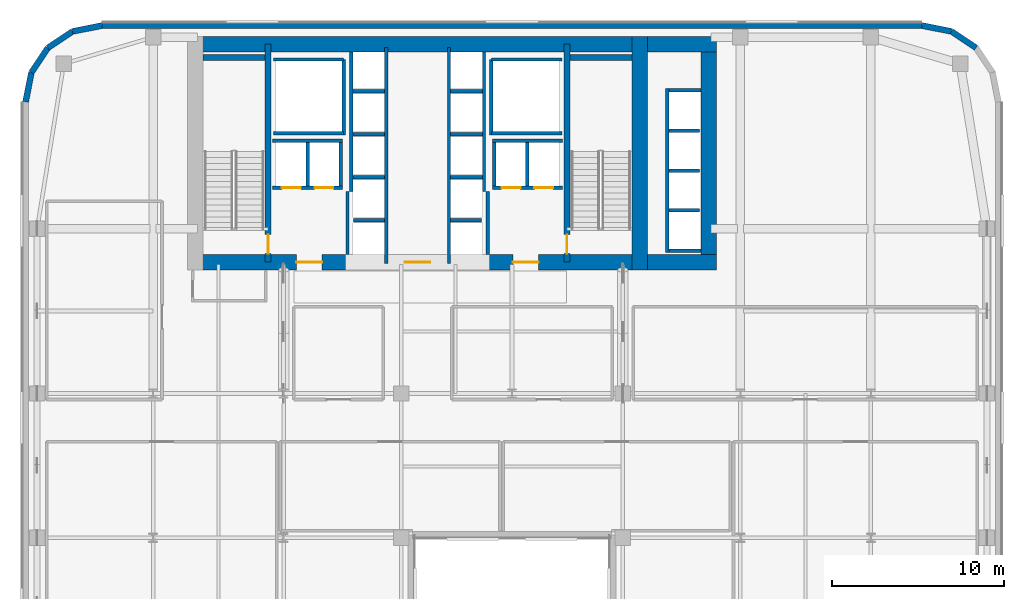
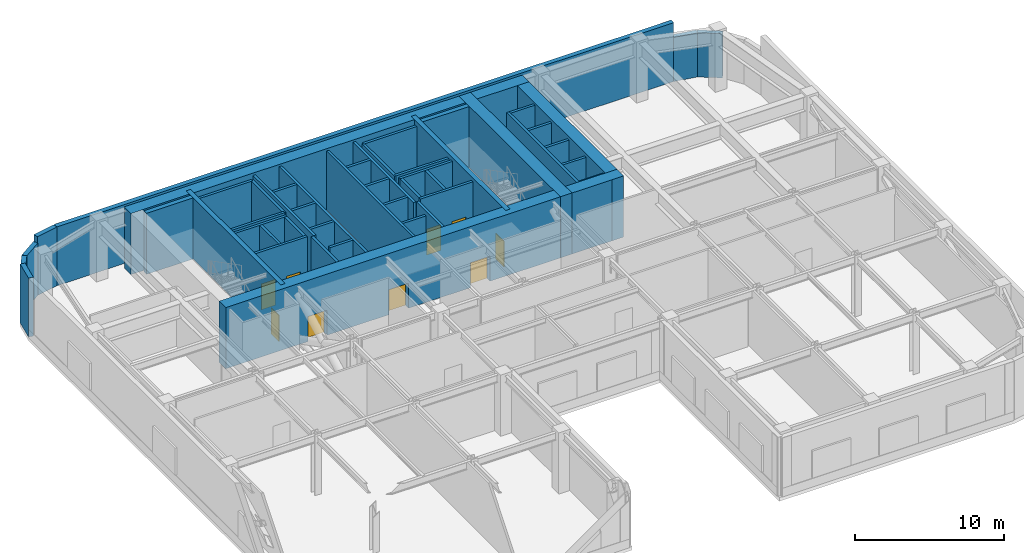
# One storey, part 5 of 11: 51 walls, 9 doors, 9 openings.
"""IFC4 building model written with IfcOpenShell, lengths in metres."""

from ifc_helpers import new_model, si_unit, direction, frame, frame_2d, origin, place, context, subcontext, project, spatial, rectangle, extrude, source, transform, mapped, material, layer, layer_set, type_object, type_shapes, element, fill, save


model = new_model("IFC4")

# Units and contexts
model_context = context("Model", 3, precision=1e-05, world=origin(), true_north=direction((0.0, 1.0)))
body_context = subcontext(model_context, "Body", "Model", "MODEL_VIEW")
ifc_project = project(units=[si_unit("LENGTHUNIT", "METRE"), si_unit("AREAUNIT", "SQUARE_METRE"), si_unit("VOLUMEUNIT", "CUBIC_METRE"), si_unit("PLANEANGLEUNIT", "RADIAN"), si_unit("MASSUNIT", "GRAM", prefix="KILO")], contexts=[model_context])

# Site, building, storey
site_placement = place(None, origin())
site = spatial("IfcSite", under=ifc_project, at=site_placement, CompositionType="ELEMENT")
building_placement = place(site_placement, origin())
building = spatial("IfcBuilding", under=site, at=building_placement, Name="Tolvann Quenvar Hotel", CompositionType="ELEMENT")
storey_placement = place(building_placement, frame((0.0, 0.0, 95.89990234375)))
storey = spatial("IfcBuildingStorey", under=building, at=storey_placement, Name="L24", CompositionType="ELEMENT", Elevation=95.89990234375)

# Wall, openings, doors
ifc_material_1 = material(Name="Concrete S80 (80 MPa)", Category="concrete")
ifc_layer_1 = layer(ifc_material_1, 0.89990234375)
ifc_layer_set_1 = layer_set([ifc_layer_1], Name="Concrete S80 (80 MPa)")
wall_type_1 = type_object("IfcWallType", Name="WALL_CORE_900", PredefinedType="SHEAR", material=ifc_layer_set_1)
wall_1_placement = place(storey_placement, frame((9.60009765625, 32.050048828125, 0.0), z_axis=(0.0, 0.0, 1.0), x_axis=(1.0, 0.0, 0.0)))
wall_1 = element("IfcWall", 1, at=wall_1_placement, inside=storey, type_object=wall_type_1, Name="Rear Core S Shear Wall (L24)", PredefinedType="SHEAR", context=body_context, shape_type="SweptSolid", body=[
    extrude(rectangle(XDim=26.7998046875, YDim=0.89990234375, at=frame_2d((13.39990234375, 0.0))), origin(), (0.0, 0.0, 1.0), 5.0),
])
opening_1_placement = place(wall_1_placement, frame((7.85009765625, 0.0, 0.0), z_axis=(0.0, 0.0, 1.0), x_axis=(-1.0, 0.0, 0.0)))
opening_1 = element("IfcOpeningElement", 2, at=opening_1_placement, cuts=wall_1, Name="Opening FD-60D", PredefinedType="OPENING", context=body_context, shape_type="SweptSolid", body=[
    extrude(rectangle(XDim=1.5, YDim=2.0400390625, at=frame_2d((0.75, 1.02001953125))), frame((0.0, 0.4599609375, 0.0), z_axis=(0.0, -1.0, 0.0), x_axis=(1.0, 0.0, 0.0)), (0.0, 0.0, 1.0), 0.919921875),
])
opening_2_placement = place(wall_1_placement, frame((14.14990234375, 0.0, 0.0), z_axis=(0.0, 0.0, 1.0), x_axis=(-1.0, 0.0, 0.0)))
opening_2 = element("IfcOpeningElement", 3, at=opening_2_placement, cuts=wall_1, Name="Opening FD-60D", PredefinedType="OPENING", context=body_context, shape_type="SweptSolid", body=[
    extrude(rectangle(XDim=1.5, YDim=2.0400390625, at=frame_2d((0.75, 1.02001953125))), frame((0.0, 0.4599609375, 0.0), z_axis=(0.0, -1.0, 0.0), x_axis=(1.0, 0.0, 0.0)), (0.0, 0.0, 1.0), 0.919921875),
])
opening_3_placement = place(wall_1_placement, frame((20.449951171875, 0.0, 0.0), z_axis=(0.0, 0.0, 1.0), x_axis=(-1.0, 0.0, 0.0)))
opening_3 = element("IfcOpeningElement", 4, at=opening_3_placement, cuts=wall_1, Name="Opening FD-60D", PredefinedType="OPENING", context=body_context, shape_type="SweptSolid", body=[
    extrude(rectangle(XDim=1.5, YDim=2.0400390625, at=frame_2d((0.75, 1.02001953125))), frame((0.0, 0.4599609375, 0.0), z_axis=(0.0, -1.0, 0.0), x_axis=(1.0, 0.0, 0.0)), (0.0, 0.0, 1.0), 0.919921875),
])
ifc_material_2 = material(Name="Solid-core American oak acoustic fire door leaf in steel frame", Category="steel")
door_type_1 = type_object("IfcDoorType", Name="DOOR_FIRE_LOBBY_1500", OperationType="NOTDEFINED", PredefinedType="DOOR", material=ifc_material_2)
shared_shape_1 = source(origin(), body_context, "Body", "SweptSolid", [
    extrude(rectangle(XDim=1.5, YDim=2.0400390625, at=frame_2d((0.75, 1.02001953125))), frame((0.0, 0.02490234375, 0.0), z_axis=(0.0, -1.0, 0.0), x_axis=(1.0, 0.0, 0.0)), (0.0, 0.0, 1.0), 0.050048828125),
])
type_shapes(door_type_1, [shared_shape_1])
door_1_placement = place(opening_1_placement, origin())
door_1 = element("IfcDoor", 5, at=door_1_placement, inside=storey, type_object=door_type_1, Name="Core Lobby Fire Door FFW (L24)", OperationType="DOUBLE_DOOR_SINGLE_SWING", OverallHeight=2.0400390625, OverallWidth=1.5, PredefinedType="DOOR", context=body_context, shape_type="MappedRepresentation", body=[
    mapped(shared_shape_1, transform((0.0, 0.0, 0.0), x_axis=(1.0, 0.0, 0.0), y_axis=(0.0, 1.0, 0.0), z_axis=(0.0, 0.0, 1.0), scale=1.0)),
])
fill(opening_1, door_1)
door_2_placement = place(opening_2_placement, origin())
door_2 = element("IfcDoor", 6, at=door_2_placement, inside=storey, type_object=door_type_1, Name="Core Lobby Fire Door CLOB (L24)", OperationType="DOUBLE_DOOR_SINGLE_SWING", OverallHeight=2.0400390625, OverallWidth=1.5, PredefinedType="DOOR", context=body_context, shape_type="MappedRepresentation", body=[
    mapped(shared_shape_1, transform((0.0, 0.0, 0.0), x_axis=(1.0, 0.0, 0.0), y_axis=(0.0, 1.0, 0.0), z_axis=(0.0, 0.0, 1.0), scale=1.0)),
])
fill(opening_2, door_2)
door_3_placement = place(opening_3_placement, origin())
door_3 = element("IfcDoor", 7, at=door_3_placement, inside=storey, type_object=door_type_1, Name="Core Lobby Fire Door FFE (L24)", OperationType="DOUBLE_DOOR_SINGLE_SWING", OverallHeight=2.0400390625, OverallWidth=1.5, PredefinedType="DOOR", context=body_context, shape_type="MappedRepresentation", body=[
    mapped(shared_shape_1, transform((0.0, 0.0, 0.0), x_axis=(1.0, 0.0, 0.0), y_axis=(0.0, 1.0, 0.0), z_axis=(0.0, 0.0, 1.0), scale=1.0)),
])
fill(opening_3, door_3)

# Walls
wall_2_placement = place(storey_placement, frame((9.60009765625, 44.75, 0.0), z_axis=(0.0, 0.0, 1.0), x_axis=(1.0, 0.0, 0.0)))
element("IfcWall", 8, at=wall_2_placement, inside=storey, type_object=wall_type_1, Name="Rear Core N Shear Wall (L24)", PredefinedType="SHEAR", context=body_context, shape_type="SweptSolid", body=[
    extrude(rectangle(XDim=26.7998046875, YDim=0.89990234375, at=frame_2d((13.39990234375, 0.0))), origin(), (0.0, 0.0, 1.0), 5.0),
])
wall_3_placement = place(storey_placement, frame((35.949951171875, 31.60009765625, 0.0), z_axis=(0.0, 0.0, 1.0), x_axis=(0.0, 1.0, 0.0)))
element("IfcWall", 9, at=wall_3_placement, inside=storey, type_object=wall_type_1, Name="Rear Core E Shear Wall (L24)", PredefinedType="SHEAR", context=body_context, shape_type="SweptSolid", body=[
    extrude(rectangle(XDim=13.599853515625, YDim=0.89990234375, at=frame_2d((6.7998046875, 0.0))), origin(), (0.0, 0.0, 1.0), 5.0),
])
for number, where, z_axis, x_axis, name in (
    (10, (36.39990234375, 32.050048828125, 0.0), (0.0, 0.0, 1.0), (1.0, 0.0, 0.0), "Core East Annex Shear Wall ANN-S (L24)"),
    (11, (36.39990234375, 44.75, 0.0), (0.0, 0.0, 1.0), (1.0, 0.0, 0.0), "Core East Annex Shear Wall ANN-N (L24)"),
):
    element("IfcWall", number, at=place(storey_placement, frame(where, z_axis=z_axis, x_axis=x_axis)), inside=storey, type_object=wall_type_1, Name=name, PredefinedType="SHEAR", context=body_context, shape_type="SweptSolid", body=[
        extrude(rectangle(XDim=4.0, YDim=0.89990234375, at=frame_2d((2.0, 0.0))), origin(), (0.0, 0.0, 1.0), 5.0),
    ])
wall_4_placement = place(storey_placement, frame((39.949951171875, 31.60009765625, 0.0), z_axis=(0.0, 0.0, 1.0), x_axis=(0.0, 1.0, 0.0)))
element("IfcWall", 12, at=wall_4_placement, inside=storey, type_object=wall_type_1, Name="Core East Annex Shear Wall ANN-E (L24)", PredefinedType="SHEAR", context=body_context, shape_type="SweptSolid", body=[
    extrude(rectangle(XDim=13.599853515625, YDim=0.89990234375, at=frame_2d((6.7998046875, 0.0))), origin(), (0.0, 0.0, 1.0), 5.0),
])

# Wall, opening, door
ifc_material_3 = material(Name="Concrete S65 (65 MPa)", Category="concrete")
ifc_layer_2 = layer(ifc_material_3, 0.35009765625)
ifc_layer_set_2 = layer_set([ifc_layer_2], Name="Concrete S65 (65 MPa)")
wall_type_2 = type_object("IfcWallType", Name="WALL_CORE_INT_350", PredefinedType="SHEAR", material=ifc_layer_set_2)
wall_5_placement = place(storey_placement, frame((14.300048828125, 32.050048828125, 0.0), z_axis=(0.0, 0.0, 1.0), x_axis=(0.0, 1.0, 0.0)))
wall_5 = element("IfcWall", 13, at=wall_5_placement, inside=storey, type_object=wall_type_2, Name="Core Internal Web Shear Wall WEB-W (L24)", PredefinedType="SHEAR", context=body_context, shape_type="SweptSolid", body=[
    extrude(rectangle(XDim=12.699951171875, YDim=0.35009765625, at=frame_2d((6.35009765625, 0.0))), origin(), (0.0, 0.0, 1.0), 5.0),
])
opening_4_placement = place(wall_5_placement, frame((0.5, 0.0, 0.0)))
opening_4 = element("IfcOpeningElement", 14, at=opening_4_placement, cuts=wall_5, Name="Opening FD-120", PredefinedType="OPENING", context=body_context, shape_type="SweptSolid", body=[
    extrude(rectangle(XDim=1.10009765625, YDim=2.1201171875, at=frame_2d((0.550048828125, 1.06005859375))), frame((0.0, 0.18505859375, 0.0), z_axis=(0.0, -1.0, 0.0), x_axis=(1.0, 0.0, 0.0)), (0.0, 0.0, 1.0), 0.3701171875),
])
ifc_material_4 = material(Name="Pressed galvanised steel fire-rated door set", Category="steel")
door_type_2 = type_object("IfcDoorType", Name="DOOR_FIRE_STAIR_1100", OperationType="NOTDEFINED", PredefinedType="DOOR", material=ifc_material_4)
shared_shape_2 = source(origin(), body_context, "Body", "SweptSolid", [
    extrude(rectangle(XDim=1.10009765625, YDim=2.1201171875, at=frame_2d((0.550048828125, 1.06005859375))), frame((0.0, 0.02490234375, 0.0), z_axis=(0.0, -1.0, 0.0), x_axis=(1.0, 0.0, 0.0)), (0.0, 0.0, 1.0), 0.050048828125),
])
type_shapes(door_type_2, [shared_shape_2])
door_4_placement = place(opening_4_placement, origin())
door_4 = element("IfcDoor", 15, at=door_4_placement, inside=storey, type_object=door_type_2, Name="Exit Stair ST-C1 Fire Door (L24)", OperationType="SINGLE_SWING_LEFT", OverallHeight=2.1201171875, OverallWidth=1.10009765625, PredefinedType="DOOR", context=body_context, shape_type="MappedRepresentation", body=[
    mapped(shared_shape_2, transform((0.0, 0.0, 0.0), x_axis=(1.0, 0.0, 0.0), y_axis=(0.0, 1.0, 0.0), z_axis=(0.0, 0.0, 1.0), scale=1.0)),
])
fill(opening_4, door_4)

wall_6_placement = place(storey_placement, frame((31.699951171875, 32.050048828125, 0.0), z_axis=(0.0, 0.0, 1.0), x_axis=(0.0, 1.0, 0.0)))
wall_6 = element("IfcWall", 16, at=wall_6_placement, inside=storey, type_object=wall_type_2, Name="Core Internal Web Shear Wall WEB-E (L24)", PredefinedType="SHEAR", context=body_context, shape_type="SweptSolid", body=[
    extrude(rectangle(XDim=12.699951171875, YDim=0.35009765625, at=frame_2d((6.35009765625, 0.0))), origin(), (0.0, 0.0, 1.0), 5.0),
])
opening_5_placement = place(wall_6_placement, frame((1.60009765625, 0.0, 0.0), z_axis=(0.0, 0.0, 1.0), x_axis=(-1.0, 0.0, 0.0)))
opening_5 = element("IfcOpeningElement", 17, at=opening_5_placement, cuts=wall_6, Name="Opening FD-120", PredefinedType="OPENING", context=body_context, shape_type="SweptSolid", body=[
    extrude(rectangle(XDim=1.10009765625, YDim=2.1201171875, at=frame_2d((0.550048828125, 1.06005859375))), frame((0.0, 0.18505859375, 0.0), z_axis=(0.0, -1.0, 0.0), x_axis=(1.0, 0.0, 0.0)), (0.0, 0.0, 1.0), 0.3701171875),
])
door_5_placement = place(opening_5_placement, origin())
door_5 = element("IfcDoor", 18, at=door_5_placement, inside=storey, type_object=door_type_2, Name="Exit Stair ST-C2 Fire Door (L24)", OperationType="SINGLE_SWING_RIGHT", OverallHeight=2.1201171875, OverallWidth=1.10009765625, PredefinedType="DOOR", context=body_context, shape_type="MappedRepresentation", body=[
    mapped(shared_shape_2, transform((0.0, 0.0, 0.0), x_axis=(1.0, 0.0, 0.0), y_axis=(0.0, 1.0, 0.0), z_axis=(0.0, 0.0, 1.0), scale=1.0)),
])
fill(opening_5, door_5)

# Walls
for number, where, z_axis, x_axis, name in (
    (19, (10.52001953125, 43.97509765625, 0.0), (0.0, 0.0, 1.0), (1.0, 0.0, 0.0), "Core Stair North Closing Shear Wall STC1-N (L24)"),
    (20, (31.8798828125, 43.97509765625, 0.0), (0.0, 0.0, 1.0), (1.0, 0.0, 0.0), "Core Stair North Closing Shear Wall STC2-N (L24)"),
):
    element("IfcWall", number, at=place(storey_placement, frame(where, z_axis=z_axis, x_axis=x_axis)), inside=storey, type_object=wall_type_2, Name=name, PredefinedType="SHEAR", context=body_context, shape_type="SweptSolid", body=[
        extrude(rectangle(XDim=3.60009765625, YDim=0.35009765625, at=frame_2d((1.800048828125, 0.0))), origin(), (0.0, 0.0, 1.0), 5.0),
    ])
ifc_material_5 = material(Name="Kiln-fired red and buff architectural clay brickwork and terracotta masonry", Category="masonry")
ifc_layer_3 = layer(ifc_material_5, 0.35009765625)
ifc_layer_set_3 = layer_set([ifc_layer_3], Name="Kiln-fired red and buff architectural clay brickwork and terracotta masonry")
wall_type_3 = type_object("IfcWallType", Name="WALL_EXT_BRICK_350", PredefinedType="SOLIDWALL", material=ifc_layer_set_3)
wall_7_placement = place(storey_placement, frame((55.526611328125, 44.526611328125, 0.0), z_axis=(0.0, 0.0, 1.0), x_axis=(-0.831483840845, 0.55554893791, 0.0)))
element("IfcWall", 21, at=wall_7_placement, inside=storey, type_object=wall_type_3, Name="Exterior Chicago Brick Wall L24-E16", PredefinedType="SOLIDWALL", context=body_context, shape_type="SweptSolid", body=[
    extrude(rectangle(XDim=1.725341796875, YDim=0.35009765625, at=frame_2d((0.86279296875, 0.0))), origin(), (0.0, 0.0, 1.0), 3.610107421875),
])
wall_8_placement = place(storey_placement, frame((54.092041015625, 45.485107421875, 0.0), z_axis=(0.0, 0.0, 1.0), x_axis=(-0.980800971659, 0.195011420161, 0.0)))
element("IfcWall", 22, at=wall_8_placement, inside=storey, type_object=wall_type_3, Name="Exterior Chicago Brick Wall L24-E17", PredefinedType="SOLIDWALL", context=body_context, shape_type="SweptSolid", body=[
    extrude(rectangle(XDim=1.74267578125, YDim=0.35009765625, at=frame_2d((0.871337890625, 0.0))), origin(), (0.0, 0.0, 1.0), 3.610107421875),
])
wall_9_placement = place(storey_placement, frame((52.3828125, 45.824951171875, 0.0), z_axis=(0.0, 0.0, 1.0), x_axis=(-1.0, 0.0, 0.0)))
element("IfcWall", 23, at=wall_9_placement, inside=storey, type_object=wall_type_3, Name="Exterior Chicago Brick Wall L24-E18", PredefinedType="SOLIDWALL", context=body_context, shape_type="SweptSolid", body=[
    extrude(rectangle(XDim=47.765625, YDim=0.35009765625, at=frame_2d((23.8828125, 0.0))), origin(), (0.0, 0.0, 1.0), 4.820068359375),
])
wall_10_placement = place(storey_placement, frame((4.6171875, 45.824951171875, 0.0), z_axis=(0.0, 0.0, 1.0), x_axis=(-0.980800971659, -0.195011420161, 0.0)))
element("IfcWall", 24, at=wall_10_placement, inside=storey, type_object=wall_type_3, Name="Exterior Chicago Brick Wall L24-E19", PredefinedType="SOLIDWALL", context=body_context, shape_type="SweptSolid", body=[
    extrude(rectangle(XDim=1.74267578125, YDim=0.35009765625, at=frame_2d((0.871337890625, 0.0))), origin(), (0.0, 0.0, 1.0), 4.820068359375),
])
for number, where, z_axis, x_axis, name in (
    (25, (2.907958984375, 45.485107421875, 0.0), (0.0, 0.0, 1.0), (-0.831483840845, -0.55554893791, 0.0), "Exterior Chicago Brick Wall L24-E20"),
    (26, (1.473388671875, 44.526611328125, 0.0), (0.0, 0.0, 1.0), (-0.55554893791, -0.831483840845, 0.0), "Exterior Chicago Brick Wall L24-E21"),
):
    element("IfcWall", number, at=place(storey_placement, frame(where, z_axis=z_axis, x_axis=x_axis)), inside=storey, type_object=wall_type_3, Name=name, PredefinedType="SOLIDWALL", context=body_context, shape_type="SweptSolid", body=[
        extrude(rectangle(XDim=1.725341796875, YDim=0.35009765625, at=frame_2d((0.86279296875, 0.0))), origin(), (0.0, 0.0, 1.0), 4.281982421875),
    ])
wall_11_placement = place(storey_placement, frame((0.514892578125, 43.092041015625, 0.0), z_axis=(0.0, 0.0, 1.0), x_axis=(-0.195011420161, -0.980800971659, 0.0)))
element("IfcWall", 27, at=wall_11_placement, inside=storey, type_object=wall_type_3, Name="Exterior Chicago Brick Wall L24-E22", PredefinedType="SOLIDWALL", context=body_context, shape_type="SweptSolid", body=[
    extrude(rectangle(XDim=1.74267578125, YDim=0.35009765625, at=frame_2d((0.871337890625, 0.0))), origin(), (0.0, 0.0, 1.0), 4.820068359375),
])
ifc_material_6 = material(Name="Concrete N40 (40 MPa)", Category="concrete")
ifc_layer_4 = layer(ifc_material_6, 0.199951171875)
ifc_layer_set_4 = layer_set([ifc_layer_4], Name="Concrete N40 (40 MPa)")
wall_type_4 = type_object("IfcWallType", Name="WALL_SHAFT_200", PredefinedType="SOLIDWALL", material=ifc_layer_set_4)
wall_12_placement = place(storey_placement, frame((18.699951171875, 39.449951171875, 0.0), z_axis=(0.0, 0.0, 1.0), x_axis=(0.0, 1.0, 0.0)))
element("IfcWall", 28, at=wall_12_placement, inside=storey, type_object=wall_type_4, Name="Service Riser W Shaft Wall IN (L24)", PredefinedType="SOLIDWALL", context=body_context, shape_type="SweptSolid", body=[
    extrude(rectangle(XDim=4.400146484375, YDim=0.199951171875, at=frame_2d((2.2001953125, 0.0))), origin(), (0.0, 0.0, 1.0), 4.820068359375),
])
for number, where, z_axis, x_axis, name in (
    (29, (14.60009765625, 39.550048828125, 0.0), (0.0, 0.0, 1.0), (1.0, 0.0, 0.0), "Service Riser W Shaft Wall S (L24)"),
    (30, (14.60009765625, 43.85009765625, 0.0), (0.0, 0.0, 1.0), (1.0, 0.0, 0.0), "Service Riser W Shaft Wall N (L24)"),
):
    element("IfcWall", number, at=place(storey_placement, frame(where, z_axis=z_axis, x_axis=x_axis)), inside=storey, type_object=wall_type_4, Name=name, PredefinedType="SOLIDWALL", context=body_context, shape_type="SweptSolid", body=[
        extrude(rectangle(XDim=4.099853515625, YDim=0.199951171875, at=frame_2d((2.0498046875, 0.0))), origin(), (0.0, 0.0, 1.0), 4.820068359375),
    ])
wall_13_placement = place(storey_placement, frame((27.300048828125, 39.449951171875, 0.0), z_axis=(0.0, 0.0, 1.0), x_axis=(0.0, 1.0, 0.0)))
element("IfcWall", 31, at=wall_13_placement, inside=storey, type_object=wall_type_4, Name="Service Riser E Shaft Wall IN (L24)", PredefinedType="SOLIDWALL", context=body_context, shape_type="SweptSolid", body=[
    extrude(rectangle(XDim=4.400146484375, YDim=0.199951171875, at=frame_2d((2.2001953125, 0.0))), origin(), (0.0, 0.0, 1.0), 4.820068359375),
])
for number, where, z_axis, x_axis, name in (
    (32, (27.300048828125, 39.550048828125, 0.0), (0.0, 0.0, 1.0), (1.0, 0.0, 0.0), "Service Riser E Shaft Wall S (L24)"),
    (33, (27.300048828125, 43.85009765625, 0.0), (0.0, 0.0, 1.0), (1.0, 0.0, 0.0), "Service Riser E Shaft Wall N (L24)"),
):
    element("IfcWall", number, at=place(storey_placement, frame(where, z_axis=z_axis, x_axis=x_axis)), inside=storey, type_object=wall_type_4, Name=name, PredefinedType="SOLIDWALL", context=body_context, shape_type="SweptSolid", body=[
        extrude(rectangle(XDim=4.099853515625, YDim=0.199951171875, at=frame_2d((2.0498046875, 0.0))), origin(), (0.0, 0.0, 1.0), 4.820068359375),
    ])
for number, where, z_axis, x_axis, name in (
    (34, (18.919921875, 32.50390625, 0.0), (0.0, 0.0, 1.0), (0.0, 1.0, 0.0), "Firefighting Lobby W Inner Fire Wall (L24)"),
    (35, (27.080078125, 32.50390625, 0.0), (0.0, 0.0, 1.0), (0.0, 1.0, 0.0), "Firefighting Lobby E Inner Fire Wall (L24)"),
):
    element("IfcWall", number, at=place(storey_placement, frame(where, z_axis=z_axis, x_axis=x_axis)), inside=storey, type_object=wall_type_4, Name=name, PredefinedType="SOLIDWALL", context=body_context, shape_type="SweptSolid", body=[
        extrude(rectangle(XDim=3.64599609375, YDim=0.199951171875, at=frame_2d((1.822998046875, 0.0))), origin(), (0.0, 0.0, 1.0), 4.820068359375),
    ])
wall_14_placement = place(storey_placement, frame((21.169921875, 31.9599609375, 0.0), z_axis=(0.0, 0.0, 1.0), x_axis=(0.0, 1.0, 0.0)))
element("IfcWall", 36, at=wall_14_placement, inside=storey, type_object=wall_type_4, Name="Lift Bank E21.1C1 Hoistway Front Wall (L24)", PredefinedType="SOLIDWALL", context=body_context, shape_type="SweptSolid", body=[
    extrude(rectangle(XDim=12.580078125, YDim=0.199951171875, at=frame_2d((6.2900390625, 0.0))), origin(), (0.0, 0.0, 1.0), 4.820068359375),
])
wall_15_placement = place(storey_placement, frame((19.1298828125, 36.159912109375, 0.0), z_axis=(0.0, 0.0, 1.0), x_axis=(0.0, 1.0, 0.0)))
element("IfcWall", 37, at=wall_15_placement, inside=storey, type_object=wall_type_4, Name="Lift Bank E21.1C1 Hoistway Rear Wall (L24)", PredefinedType="SOLIDWALL", context=body_context, shape_type="SweptSolid", body=[
    extrude(rectangle(XDim=8.135986328125, YDim=0.199951171875, at=frame_2d((4.06787109375, 0.0))), origin(), (0.0, 0.0, 1.0), 4.820068359375),
])
wall_16_placement = place(storey_placement, frame((19.27001953125, 34.5, 0.0), z_axis=(0.0, 0.0, 1.0), x_axis=(1.0, 0.0, 0.0)))
element("IfcWall", 38, at=wall_16_placement, inside=storey, type_object=wall_type_4, Name="Lift Bank E21.1C1 Divider Wall 1 (L24)", PredefinedType="SOLIDWALL", context=body_context, shape_type="SweptSolid", body=[
    extrude(rectangle(XDim=1.800048828125, YDim=0.199951171875, at=frame_2d((0.89990234375, 0.0))), origin(), (0.0, 0.0, 1.0), 4.820068359375),
])
for number, where, z_axis, x_axis, name in (
    (39, (19.22998046875, 37.0, 0.0), (0.0, 0.0, 1.0), (1.0, 0.0, 0.0), "Lift Bank E21.1C1 Divider Wall 2 (L24)"),
    (40, (19.22998046875, 39.5, 0.0), (0.0, 0.0, 1.0), (1.0, 0.0, 0.0), "Lift Bank E21.1C1 Divider Wall 3 (L24)"),
    (41, (19.22998046875, 42.0, 0.0), (0.0, 0.0, 1.0), (1.0, 0.0, 0.0), "Lift Bank E21.1C1 Divider Wall 4 (L24)"),
):
    element("IfcWall", number, at=place(storey_placement, frame(where, z_axis=z_axis, x_axis=x_axis)), inside=storey, type_object=wall_type_4, Name=name, PredefinedType="SOLIDWALL", context=body_context, shape_type="SweptSolid", body=[
        extrude(rectangle(XDim=1.840087890625, YDim=0.199951171875, at=frame_2d((0.919921875, 0.0))), origin(), (0.0, 0.0, 1.0), 4.820068359375),
    ])

# Wall, openings, doors
wall_17_placement = place(storey_placement, frame((27.375, 36.3798828125, 0.0), z_axis=(0.0, 0.0, 1.0), x_axis=(1.0, 0.0, 0.0)))
wall_17 = element("IfcWall", 42, at=wall_17_placement, inside=storey, type_object=wall_type_4, Name="Lift Bank SEC1 Hoistway Front Wall (L24)", PredefinedType="SOLIDWALL", context=body_context, shape_type="SweptSolid", body=[
    extrude(rectangle(XDim=4.074951171875, YDim=0.199951171875, at=frame_2d((2.03759765625, 0.0))), origin(), (0.0, 0.0, 1.0), 4.820068359375),
])
opening_6_placement = place(wall_17_placement, frame((0.52490234375, 0.0, 0.0)))
opening_6 = element("IfcOpeningElement", 43, at=opening_6_placement, cuts=wall_17, Name="Opening LD-01", PredefinedType="OPENING", context=body_context, shape_type="SweptSolid", body=[
    extrude(rectangle(XDim=1.10009765625, YDim=2.1201171875, at=frame_2d((0.550048828125, 1.06005859375))), frame((0.0, 0.10986328125, 0.0), z_axis=(0.0, -1.0, 0.0), x_axis=(1.0, 0.0, 0.0)), (0.0, 0.0, 1.0), 0.219970703125),
])
opening_7_placement = place(wall_17_placement, frame((2.425048828125, 0.0, 0.0)))
opening_7 = element("IfcOpeningElement", 44, at=opening_7_placement, cuts=wall_17, Name="Opening LD-01", PredefinedType="OPENING", context=body_context, shape_type="SweptSolid", body=[
    extrude(rectangle(XDim=1.10009765625, YDim=2.1201171875, at=frame_2d((0.550048828125, 1.06005859375))), frame((0.0, 0.10986328125, 0.0), z_axis=(0.0, -1.0, 0.0), x_axis=(1.0, 0.0, 0.0)), (0.0, 0.0, 1.0), 0.219970703125),
])
ifc_material_7 = material(Name="Brushed 316 stainless steel automatic sliding lift landing door", Category="steel")
door_type_3 = type_object("IfcDoorType", Name="DOOR_LIFT_SLIDE_1100", OperationType="NOTDEFINED", PredefinedType="DOOR", material=ifc_material_7)
shared_shape_3 = source(origin(), body_context, "Body", "SweptSolid", [
    extrude(rectangle(XDim=1.10009765625, YDim=2.1201171875, at=frame_2d((0.550048828125, 1.06005859375))), frame((0.0, 0.02490234375, 0.0), z_axis=(0.0, -1.0, 0.0), x_axis=(1.0, 0.0, 0.0)), (0.0, 0.0, 1.0), 0.050048828125),
])
type_shapes(door_type_3, [shared_shape_3])
door_6_placement = place(opening_6_placement, origin())
door_6 = element("IfcDoor", 45, at=door_6_placement, inside=storey, type_object=door_type_3, Name="Lift SV-2 Sliding Landing Door (L24)", OperationType="SLIDING_TO_LEFT", OverallHeight=2.1201171875, OverallWidth=1.10009765625, PredefinedType="DOOR", context=body_context, shape_type="MappedRepresentation", body=[
    mapped(shared_shape_3, transform((0.0, 0.0, 0.0), x_axis=(1.0, 0.0, 0.0), y_axis=(0.0, 1.0, 0.0), z_axis=(0.0, 0.0, 1.0), scale=1.0)),
])
fill(opening_6, door_6)
door_7_placement = place(opening_7_placement, origin())
door_7 = element("IfcDoor", 46, at=door_7_placement, inside=storey, type_object=door_type_3, Name="Lift FF-2 Sliding Landing Door (L24)", OperationType="SLIDING_TO_RIGHT", OverallHeight=2.1201171875, OverallWidth=1.10009765625, PredefinedType="DOOR", context=body_context, shape_type="MappedRepresentation", body=[
    mapped(shared_shape_3, transform((0.0, 0.0, 0.0), x_axis=(1.0, 0.0, 0.0), y_axis=(0.0, 1.0, 0.0), z_axis=(0.0, 0.0, 1.0), scale=1.0)),
])
fill(opening_7, door_7)

# Walls
wall_18_placement = place(storey_placement, frame((27.375, 39.1201171875, 0.0), z_axis=(0.0, 0.0, 1.0), x_axis=(1.0, 0.0, 0.0)))
element("IfcWall", 47, at=wall_18_placement, inside=storey, type_object=wall_type_4, Name="Lift Bank SEC1 Hoistway Rear Wall (L24)", PredefinedType="SOLIDWALL", context=body_context, shape_type="SweptSolid", body=[
    extrude(rectangle(XDim=4.074951171875, YDim=0.199951171875, at=frame_2d((2.03759765625, 0.0))), origin(), (0.0, 0.0, 1.0), 4.820068359375),
])
for number, where, z_axis, x_axis, name in (
    (48, (27.47509765625, 36.47998046875, 0.0), (0.0, 0.0, 1.0), (0.0, 1.0, 0.0), "Lift Bank SEC1 Hoistway Cheek Wall 1 (L24)"),
    (49, (29.387451171875, 36.47998046875, 0.0), (0.0, 0.0, 1.0), (0.0, 1.0, 0.0), "Lift Bank SEC1 Divider Wall 1 (L24)"),
):
    element("IfcWall", number, at=place(storey_placement, frame(where, z_axis=z_axis, x_axis=x_axis)), inside=storey, type_object=wall_type_4, Name=name, PredefinedType="SOLIDWALL", context=body_context, shape_type="SweptSolid", body=[
        extrude(rectangle(XDim=2.5400390625, YDim=0.199951171875, at=frame_2d((1.27001953125, 0.0))), origin(), (0.0, 0.0, 1.0), 4.820068359375),
    ])

# Wall, openings, doors
wall_19_placement = place(storey_placement, frame((14.550048828125, 36.3798828125, 0.0), z_axis=(0.0, 0.0, 1.0), x_axis=(1.0, 0.0, 0.0)))
wall_19 = element("IfcWall", 50, at=wall_19_placement, inside=storey, type_object=wall_type_4, Name="Lift Bank SWC1 Hoistway Front Wall (L24)", PredefinedType="SOLIDWALL", context=body_context, shape_type="SweptSolid", body=[
    extrude(rectangle(XDim=4.074951171875, YDim=0.199951171875, at=frame_2d((2.03759765625, 0.0))), origin(), (0.0, 0.0, 1.0), 4.820068359375),
])
opening_8_placement = place(wall_19_placement, frame((0.550048828125, 0.0, 0.0)))
opening_8 = element("IfcOpeningElement", 51, at=opening_8_placement, cuts=wall_19, Name="Opening LD-01", PredefinedType="OPENING", context=body_context, shape_type="SweptSolid", body=[
    extrude(rectangle(XDim=1.10009765625, YDim=2.1201171875, at=frame_2d((0.550048828125, 1.06005859375))), frame((0.0, 0.10986328125, 0.0), z_axis=(0.0, -1.0, 0.0), x_axis=(1.0, 0.0, 0.0)), (0.0, 0.0, 1.0), 0.219970703125),
])
opening_9_placement = place(wall_19_placement, frame((2.449951171875, 0.0, 0.0)))
opening_9 = element("IfcOpeningElement", 52, at=opening_9_placement, cuts=wall_19, Name="Opening LD-01", PredefinedType="OPENING", context=body_context, shape_type="SweptSolid", body=[
    extrude(rectangle(XDim=1.10009765625, YDim=2.1201171875, at=frame_2d((0.550048828125, 1.06005859375))), frame((0.0, 0.10986328125, 0.0), z_axis=(0.0, -1.0, 0.0), x_axis=(1.0, 0.0, 0.0)), (0.0, 0.0, 1.0), 0.219970703125),
])
door_8_placement = place(opening_8_placement, origin())
door_8 = element("IfcDoor", 53, at=door_8_placement, inside=storey, type_object=door_type_3, Name="Lift FF-1 Sliding Landing Door (L24)", OperationType="SLIDING_TO_LEFT", OverallHeight=2.1201171875, OverallWidth=1.10009765625, PredefinedType="DOOR", context=body_context, shape_type="MappedRepresentation", body=[
    mapped(shared_shape_3, transform((0.0, 0.0, 0.0), x_axis=(1.0, 0.0, 0.0), y_axis=(0.0, 1.0, 0.0), z_axis=(0.0, 0.0, 1.0), scale=1.0)),
])
fill(opening_8, door_8)
door_9_placement = place(opening_9_placement, origin())
door_9 = element("IfcDoor", 54, at=door_9_placement, inside=storey, type_object=door_type_3, Name="Lift SV-1 Sliding Landing Door (L24)", OperationType="SLIDING_TO_RIGHT", OverallHeight=2.1201171875, OverallWidth=1.10009765625, PredefinedType="DOOR", context=body_context, shape_type="MappedRepresentation", body=[
    mapped(shared_shape_3, transform((0.0, 0.0, 0.0), x_axis=(1.0, 0.0, 0.0), y_axis=(0.0, 1.0, 0.0), z_axis=(0.0, 0.0, 1.0), scale=1.0)),
])
fill(opening_9, door_9)

# Walls
wall_20_placement = place(storey_placement, frame((14.550048828125, 39.1201171875, 0.0), z_axis=(0.0, 0.0, 1.0), x_axis=(1.0, 0.0, 0.0)))
element("IfcWall", 55, at=wall_20_placement, inside=storey, type_object=wall_type_4, Name="Lift Bank SWC1 Hoistway Rear Wall (L24)", PredefinedType="SOLIDWALL", context=body_context, shape_type="SweptSolid", body=[
    extrude(rectangle(XDim=4.074951171875, YDim=0.199951171875, at=frame_2d((2.03759765625, 0.0))), origin(), (0.0, 0.0, 1.0), 4.820068359375),
])
for number, where, z_axis, x_axis, name in (
    (56, (18.52490234375, 36.47998046875, 0.0), (0.0, 0.0, 1.0), (0.0, 1.0, 0.0), "Lift Bank SWC1 Hoistway Cheek Wall 2 (L24)"),
    (57, (16.612548828125, 36.47998046875, 0.0), (0.0, 0.0, 1.0), (0.0, 1.0, 0.0), "Lift Bank SWC1 Divider Wall 1 (L24)"),
):
    element("IfcWall", number, at=place(storey_placement, frame(where, z_axis=z_axis, x_axis=x_axis)), inside=storey, type_object=wall_type_4, Name=name, PredefinedType="SOLIDWALL", context=body_context, shape_type="SweptSolid", body=[
        extrude(rectangle(XDim=2.5400390625, YDim=0.199951171875, at=frame_2d((1.27001953125, 0.0))), origin(), (0.0, 0.0, 1.0), 4.820068359375),
    ])
wall_21_placement = place(storey_placement, frame((24.830078125, 31.9599609375, 0.0), z_axis=(0.0, 0.0, 1.0), x_axis=(0.0, 1.0, 0.0)))
element("IfcWall", 58, at=wall_21_placement, inside=storey, type_object=wall_type_4, Name="Lift Bank W24.9C1 Hoistway Front Wall (L24)", PredefinedType="SOLIDWALL", context=body_context, shape_type="SweptSolid", body=[
    extrude(rectangle(XDim=12.580078125, YDim=0.199951171875, at=frame_2d((6.2900390625, 0.0))), origin(), (0.0, 0.0, 1.0), 4.820068359375),
])
wall_22_placement = place(storey_placement, frame((26.8701171875, 36.159912109375, 0.0), z_axis=(0.0, 0.0, 1.0), x_axis=(0.0, 1.0, 0.0)))
element("IfcWall", 59, at=wall_22_placement, inside=storey, type_object=wall_type_4, Name="Lift Bank W24.9C1 Hoistway Rear Wall (L24)", PredefinedType="SOLIDWALL", context=body_context, shape_type="SweptSolid", body=[
    extrude(rectangle(XDim=8.135986328125, YDim=0.199951171875, at=frame_2d((4.06787109375, 0.0))), origin(), (0.0, 0.0, 1.0), 4.820068359375),
])
wall_23_placement = place(storey_placement, frame((24.929931640625, 34.5, 0.0), z_axis=(0.0, 0.0, 1.0), x_axis=(1.0, 0.0, 0.0)))
element("IfcWall", 60, at=wall_23_placement, inside=storey, type_object=wall_type_4, Name="Lift Bank W24.9C1 Divider Wall 1 (L24)", PredefinedType="SOLIDWALL", context=body_context, shape_type="SweptSolid", body=[
    extrude(rectangle(XDim=1.800048828125, YDim=0.199951171875, at=frame_2d((0.89990234375, 0.0))), origin(), (0.0, 0.0, 1.0), 4.820068359375),
])
for number, where, z_axis, x_axis, name in (
    (61, (24.929931640625, 37.0, 0.0), (0.0, 0.0, 1.0), (1.0, 0.0, 0.0), "Lift Bank W24.9C1 Divider Wall 2 (L24)"),
    (62, (24.929931640625, 39.5, 0.0), (0.0, 0.0, 1.0), (1.0, 0.0, 0.0), "Lift Bank W24.9C1 Divider Wall 3 (L24)"),
    (63, (24.929931640625, 42.0, 0.0), (0.0, 0.0, 1.0), (1.0, 0.0, 0.0), "Lift Bank W24.9C1 Divider Wall 4 (L24)"),
):
    element("IfcWall", number, at=place(storey_placement, frame(where, z_axis=z_axis, x_axis=x_axis)), inside=storey, type_object=wall_type_4, Name=name, PredefinedType="SOLIDWALL", context=body_context, shape_type="SweptSolid", body=[
        extrude(rectangle(XDim=1.840087890625, YDim=0.199951171875, at=frame_2d((0.919921875, 0.0))), origin(), (0.0, 0.0, 1.0), 4.820068359375),
    ])
wall_24_placement = place(storey_placement, frame((37.530029296875, 32.610107421875, 0.0), z_axis=(0.0, 0.0, 1.0), x_axis=(0.0, 1.0, 0.0)))
element("IfcWall", 64, at=wall_24_placement, inside=storey, type_object=wall_type_4, Name="Lift Bank W37.6C1 Hoistway Front Wall (L24)", PredefinedType="SOLIDWALL", context=body_context, shape_type="SweptSolid", body=[
    extrude(rectangle(XDim=9.539794921875, YDim=0.199951171875, at=frame_2d((4.77001953125, 0.0))), origin(), (0.0, 0.0, 1.0), 4.820068359375),
])
for number, where, z_axis, x_axis, name in (
    (65, (37.6298828125, 32.7099609375, 0.0), (0.0, 0.0, 1.0), (1.0, 0.0, 0.0), "Lift Bank W37.6C1 Hoistway Cheek Wall 1 (L24)"),
    (66, (37.6298828125, 42.050048828125, 0.0), (0.0, 0.0, 1.0), (1.0, 0.0, 0.0), "Lift Bank W37.6C1 Hoistway Cheek Wall 2 (L24)"),
):
    element("IfcWall", number, at=place(storey_placement, frame(where, z_axis=z_axis, x_axis=x_axis)), inside=storey, type_object=wall_type_4, Name=name, PredefinedType="SOLIDWALL", context=body_context, shape_type="SweptSolid", body=[
        extrude(rectangle(XDim=1.8701171875, YDim=0.199951171875, at=frame_2d((0.93505859375, 0.0))), origin(), (0.0, 0.0, 1.0), 4.820068359375),
    ])
for number, where, z_axis, x_axis, name in (
    (67, (37.6298828125, 35.06005859375, 0.0), (0.0, 0.0, 1.0), (1.0, 0.0, 0.0), "Lift Bank W37.6C1 Divider Wall 1 (L24)"),
    (68, (37.6298828125, 37.3798828125, 0.0), (0.0, 0.0, 1.0), (1.0, 0.0, 0.0), "Lift Bank W37.6C1 Divider Wall 2 (L24)"),
    (69, (37.6298828125, 39.699951171875, 0.0), (0.0, 0.0, 1.0), (1.0, 0.0, 0.0), "Lift Bank W37.6C1 Divider Wall 3 (L24)"),
):
    element("IfcWall", number, at=place(storey_placement, frame(where, z_axis=z_axis, x_axis=x_axis)), inside=storey, type_object=wall_type_4, Name=name, PredefinedType="SOLIDWALL", context=body_context, shape_type="SweptSolid", body=[
        extrude(rectangle(XDim=1.800048828125, YDim=0.199951171875, at=frame_2d((0.89990234375, 0.0))), origin(), (0.0, 0.0, 1.0), 4.820068359375),
    ])

save(model, "model.ifc")
